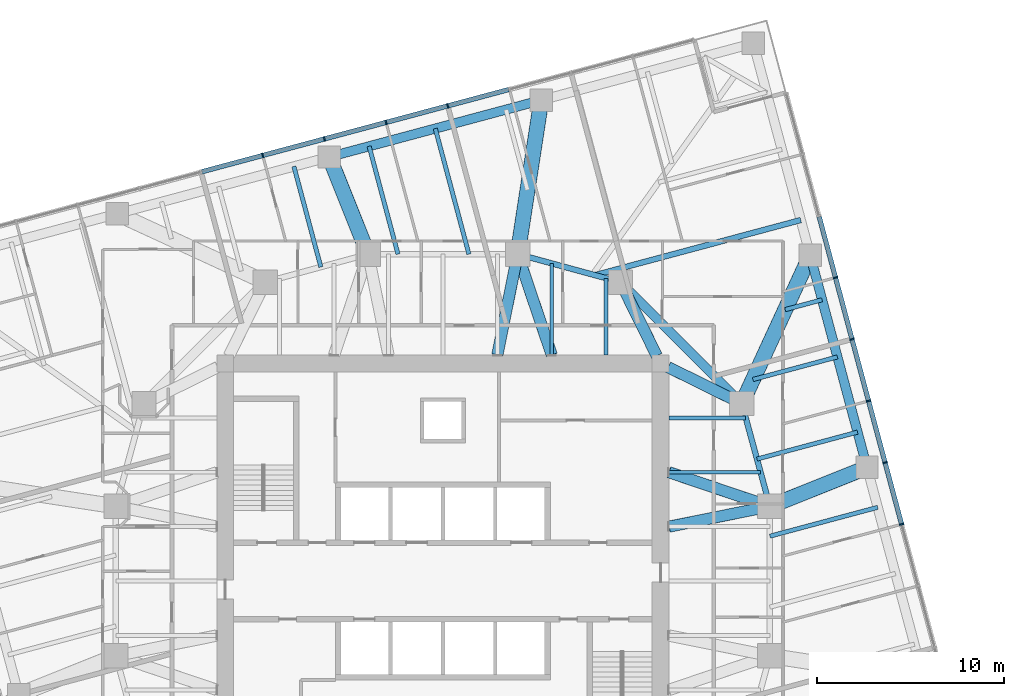
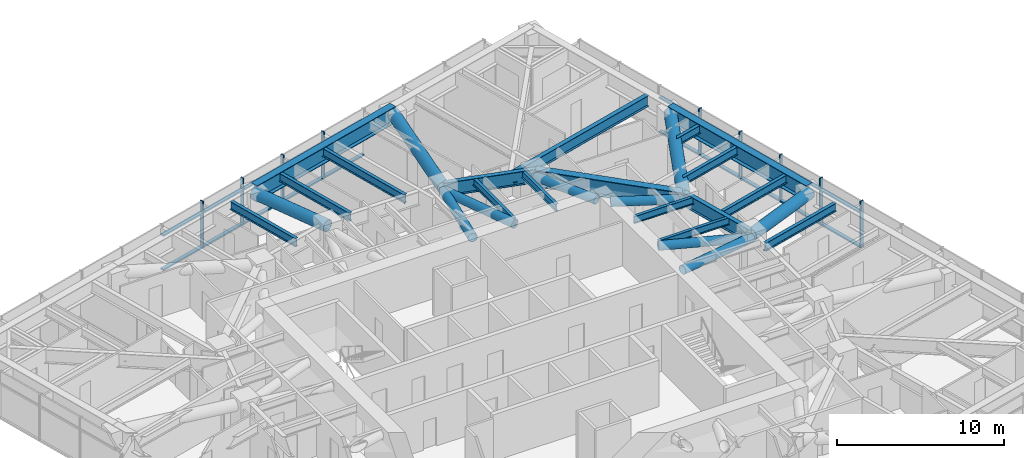
# One storey, part 7 of 18: 39 members, 17 beams, 2 elements without a shape of their own.
"""IFC4 building model written with IfcOpenShell, lengths in metres."""

from ifc_helpers import new_model, si_unit, direction, frame, origin, origin_2d, place, context, subcontext, project, spatial, rectangle, hollow_circle, i_section, extrude, material, material_profile, profile_set, type_object, element, aggregate, save


model = new_model("IFC4")

# Units and contexts
model_context = context("Model", 3, precision=1e-05, world=origin(), true_north=direction((0.0, 1.0)))
body_context = subcontext(model_context, "Body", "Model", "MODEL_VIEW")
ifc_project = project(units=[si_unit("LENGTHUNIT", "METRE"), si_unit("AREAUNIT", "SQUARE_METRE"), si_unit("VOLUMEUNIT", "CUBIC_METRE"), si_unit("PLANEANGLEUNIT", "RADIAN"), si_unit("MASSUNIT", "GRAM", prefix="KILO")], contexts=[model_context])

# Site, building, storey
site_placement = place(None, origin())
site = spatial("IfcSite", under=ifc_project, at=site_placement, CompositionType="ELEMENT")
building_placement = place(site_placement, origin())
building = spatial("IfcBuilding", under=site, at=building_placement, Name="Torsade Residences", CompositionType="ELEMENT")
storey_placement = place(building_placement, frame((0.0, 0.0, 135.39990234375)))
storey = spatial("IfcBuildingStorey", under=building, at=storey_placement, Name="L37", CompositionType="ELEMENT", Elevation=135.39990234375)

# Beams
ifc_material_1 = material(Name="Steel grade 300", Category="steel")
ifc_material_profile_1 = material_profile(ifc_material_1, i_section(OverallWidth=0.208984375, OverallDepth=0.528076171875, WebThickness=0.009521484375, FlangeThickness=0.01318359375, FilletRadius=0.013916015625, at=origin_2d()), Name="530UB82.0")
ifc_profile_set_1 = profile_set([ifc_material_profile_1], Name="Steel grade 300")
beam_type_1 = type_object("IfcBeamType", Name="INNER FLOOR BEAM 530UB82.0", PredefinedType="JOIST", material=ifc_profile_set_1)
beam_1_placement = place(storey_placement, frame((45.824951171875, 42.10009765625, 2.93603515625), z_axis=(0.0, 1.0, 0.0), x_axis=(-1.0, 0.0, 0.0)))
element("IfcBeam", 1, at=beam_1_placement, inside=storey, type_object=beam_type_1, Name="Inner floor beam IN06 L38", PredefinedType="JOIST", context=body_context, shape_type="SweptSolid", body=[
    extrude(i_section(OverallWidth=0.208984375, OverallDepth=0.528076171875, WebThickness=0.009521484375, FlangeThickness=0.01318359375, FilletRadius=0.013916015625, at=origin_2d()), origin(), (0.0, 0.0, 1.0), 4.902099609375),
])
beam_2_placement = place(storey_placement, frame((48.737548828125, 42.10009765625, 2.93603515625), z_axis=(0.0, 1.0, 0.0), x_axis=(-1.0, 0.0, 0.0)))
element("IfcBeam", 2, at=beam_2_placement, inside=storey, type_object=beam_type_1, Name="Inner floor beam IN07 L38", PredefinedType="JOIST", context=body_context, shape_type="SweptSolid", body=[
    extrude(i_section(OverallWidth=0.208984375, OverallDepth=0.528076171875, WebThickness=0.009521484375, FlangeThickness=0.01318359375, FilletRadius=0.013916015625, at=origin_2d()), origin(), (0.0, 0.0, 1.0), 4.10791015625),
])
beam_3_placement = place(storey_placement, frame((52.10009765625, 35.824951171875, 2.93603515625), z_axis=(1.0, 0.0, 0.0), x_axis=(0.0, 1.0, 0.0)))
element("IfcBeam", 3, at=beam_3_placement, inside=storey, type_object=beam_type_1, Name="Inner floor beam IE06 L38", PredefinedType="JOIST", context=body_context, shape_type="SweptSolid", body=[
    extrude(i_section(OverallWidth=0.208984375, OverallDepth=0.528076171875, WebThickness=0.009521484375, FlangeThickness=0.01318359375, FilletRadius=0.013916015625, at=origin_2d()), origin(), (0.0, 0.0, 1.0), 4.902099609375),
])
beam_4_placement = place(storey_placement, frame((52.10009765625, 38.737548828125, 2.93603515625), z_axis=(1.0, 0.0, 0.0), x_axis=(0.0, 1.0, 0.0)))
element("IfcBeam", 4, at=beam_4_placement, inside=storey, type_object=beam_type_1, Name="Inner floor beam IE07 L38", PredefinedType="JOIST", context=body_context, shape_type="SweptSolid", body=[
    extrude(i_section(OverallWidth=0.208984375, OverallDepth=0.528076171875, WebThickness=0.009521484375, FlangeThickness=0.01318359375, FilletRadius=0.013916015625, at=origin_2d()), origin(), (0.0, 0.0, 1.0), 4.10791015625),
])

# Curtain wall, members
ifc_material_2 = material(Name="Aluminium and glass", Category="aluminium")
curtain_wall_type = type_object("IfcCurtainWallType", Name="FRITTED GLASS CURTAIN WALL MID ZONE", PredefinedType="NOTDEFINED", material=ifc_material_2)
curtain_wall_1_placement = place(storey_placement, origin())
curtain_wall_1 = element("IfcCurtainWall", 5, at=curtain_wall_1_placement, inside=storey, type_object=curtain_wall_type, Name="Curtain wall L37 face 4", PredefinedType="NOTDEFINED")
ifc_material_3 = material(Name="Aluminium mullion", Category="aluminium")
ifc_material_profile_2 = material_profile(ifc_material_3, rectangle(XDim=0.25, YDim=0.080078125, at=origin_2d()), Name="MID ZONE CURTAIN WALL MULLION 250x80")
ifc_profile_set_2 = profile_set([ifc_material_profile_2], Name="Aluminium mullion")
member_type_1 = type_object("IfcMemberType", Name="MID ZONE CURTAIN WALL MULLION 250x80", PredefinedType="MULLION", material=ifc_profile_set_2)
member_1_placement = place(storey_placement, frame((64.549560546875, 33.040771484375, 0.0), z_axis=(0.0, 0.0, 1.0), x_axis=(-0.965925825571, -0.258819047783, 0.0)))
member_1 = element("IfcMember", 6, at=member_1_placement, type_object=member_type_1, Name="Mullion 6", PredefinedType="MULLION", context=body_context, shape_type="SweptSolid", body=[
    extrude(rectangle(XDim=0.25, YDim=0.080078125, at=origin_2d()), origin(), (0.0, 0.0, 1.0), 3.400146484375),
])
member_2_placement = place(storey_placement, frame((63.665283203125, 36.341064453125, 0.0), z_axis=(0.0, 0.0, 1.0), x_axis=(-0.965925825571, -0.258819047783, 0.0)))
member_2 = element("IfcMember", 7, at=member_2_placement, type_object=member_type_1, Name="Mullion 7", PredefinedType="MULLION", context=body_context, shape_type="SweptSolid", body=[
    extrude(rectangle(XDim=0.25, YDim=0.080078125, at=origin_2d()), origin(), (0.0, 0.0, 1.0), 3.400146484375),
])
member_3_placement = place(storey_placement, frame((62.781005859375, 39.641357421875, 0.0), z_axis=(0.0, 0.0, 1.0), x_axis=(-0.965925825571, -0.258819047783, 0.0)))
member_3 = element("IfcMember", 8, at=member_3_placement, type_object=member_type_1, Name="Mullion 8", PredefinedType="MULLION", context=body_context, shape_type="SweptSolid", body=[
    extrude(rectangle(XDim=0.25, YDim=0.080078125, at=origin_2d()), origin(), (0.0, 0.0, 1.0), 3.400146484375),
])
member_4_placement = place(storey_placement, frame((61.896484375, 42.941650390625, 0.0), z_axis=(0.0, 0.0, 1.0), x_axis=(-0.965925825571, -0.258819047783, 0.0)))
member_4 = element("IfcMember", 9, at=member_4_placement, type_object=member_type_1, Name="Mullion 9", PredefinedType="MULLION", context=body_context, shape_type="SweptSolid", body=[
    extrude(rectangle(XDim=0.25, YDim=0.080078125, at=origin_2d()), origin(), (0.0, 0.0, 1.0), 3.400146484375),
])
member_5_placement = place(storey_placement, frame((61.01220703125, 46.24169921875, 0.0), z_axis=(0.0, 0.0, 1.0), x_axis=(-0.965925825571, -0.258819047783, 0.0)))
member_5 = element("IfcMember", 10, at=member_5_placement, type_object=member_type_1, Name="Mullion 10", PredefinedType="MULLION", context=body_context, shape_type="SweptSolid", body=[
    extrude(rectangle(XDim=0.25, YDim=0.080078125, at=origin_2d()), origin(), (0.0, 0.0, 1.0), 3.400146484375),
])

curtain_wall_2_placement = place(storey_placement, origin())
curtain_wall_2 = element("IfcCurtainWall", 11, at=curtain_wall_2_placement, inside=storey, type_object=curtain_wall_type, Name="Curtain wall L37 face 7", PredefinedType="NOTDEFINED")
member_6_placement = place(storey_placement, frame((40.259521484375, 55.433837890625, 0.0), z_axis=(0.0, 0.0, 1.0), x_axis=(0.258819047783, -0.965925825571, 0.0)))
member_6 = element("IfcMember", 12, at=member_6_placement, type_object=member_type_1, Name="Mullion 5", PredefinedType="MULLION", context=body_context, shape_type="SweptSolid", body=[
    extrude(rectangle(XDim=0.25, YDim=0.080078125, at=origin_2d()), origin(), (0.0, 0.0, 1.0), 3.400146484375),
])
member_7_placement = place(storey_placement, frame((36.959228515625, 54.549560546875, 0.0), z_axis=(0.0, 0.0, 1.0), x_axis=(0.258819047783, -0.965925825571, 0.0)))
member_7 = element("IfcMember", 13, at=member_7_placement, type_object=member_type_1, Name="Mullion 6", PredefinedType="MULLION", context=body_context, shape_type="SweptSolid", body=[
    extrude(rectangle(XDim=0.25, YDim=0.080078125, at=origin_2d()), origin(), (0.0, 0.0, 1.0), 3.400146484375),
])
member_8_placement = place(storey_placement, frame((33.658935546875, 53.665283203125, 0.0), z_axis=(0.0, 0.0, 1.0), x_axis=(0.258819047783, -0.965925825571, 0.0)))
member_8 = element("IfcMember", 14, at=member_8_placement, type_object=member_type_1, Name="Mullion 7", PredefinedType="MULLION", context=body_context, shape_type="SweptSolid", body=[
    extrude(rectangle(XDim=0.25, YDim=0.080078125, at=origin_2d()), origin(), (0.0, 0.0, 1.0), 3.400146484375),
])
member_9_placement = place(storey_placement, frame((30.358642578125, 52.781005859375, 0.0), z_axis=(0.0, 0.0, 1.0), x_axis=(0.258819047783, -0.965925825571, 0.0)))
member_9 = element("IfcMember", 15, at=member_9_placement, type_object=member_type_1, Name="Mullion 8", PredefinedType="MULLION", context=body_context, shape_type="SweptSolid", body=[
    extrude(rectangle(XDim=0.25, YDim=0.080078125, at=origin_2d()), origin(), (0.0, 0.0, 1.0), 3.400146484375),
])

# Member
ifc_material_4 = material(Name="Aluminium transom", Category="aluminium")
ifc_material_profile_3 = material_profile(ifc_material_4, rectangle(XDim=0.25, YDim=0.110107421875, at=origin_2d()), Name="MID ZONE CURTAIN WALL TRANSOM 250x110")
ifc_profile_set_3 = profile_set([ifc_material_profile_3], Name="Aluminium transom")
member_type_2 = type_object("IfcMemberType", Name="MID ZONE CURTAIN WALL TRANSOM 250x110", PredefinedType="USERDEFINED", material=ifc_profile_set_3)
member_10_placement = place(storey_placement, frame((64.5390625, 33.079345703125, 0.05517578125), z_axis=(-0.258787285653, 0.965934335648, 0.0), x_axis=(-0.965934335648, -0.258787285653, 0.0)))
member_10 = element("IfcMember", 16, at=member_10_placement, type_object=member_type_2, Name="Transom 6.1", ObjectType="TRANSOM", PredefinedType="USERDEFINED", context=body_context, shape_type="SweptSolid", body=[
    extrude(rectangle(XDim=0.25, YDim=0.110107421875, at=origin_2d()), origin(), (0.0, 0.0, 1.0), 3.3369140625),
])

member_11_placement = place(storey_placement, frame((64.5390625, 33.079345703125, 2.55517578125), z_axis=(-0.258787285653, 0.965934335648, 0.0), x_axis=(-0.965934335648, -0.258787285653, 0.0)))
member_11 = element("IfcMember", 17, at=member_11_placement, type_object=member_type_2, Name="Transom 6.2", ObjectType="TRANSOM", PredefinedType="USERDEFINED", context=body_context, shape_type="SweptSolid", body=[
    extrude(rectangle(XDim=0.25, YDim=0.110107421875, at=origin_2d()), origin(), (0.0, 0.0, 1.0), 3.3369140625),
])

member_12_placement = place(storey_placement, frame((63.65478515625, 36.379638671875, 0.05517578125), z_axis=(-0.258787285653, 0.965934335648, 0.0), x_axis=(-0.965934335648, -0.258787285653, 0.0)))
member_12 = element("IfcMember", 18, at=member_12_placement, type_object=member_type_2, Name="Transom 7.1", ObjectType="TRANSOM", PredefinedType="USERDEFINED", context=body_context, shape_type="SweptSolid", body=[
    extrude(rectangle(XDim=0.25, YDim=0.110107421875, at=origin_2d()), origin(), (0.0, 0.0, 1.0), 3.3369140625),
])

member_13_placement = place(storey_placement, frame((63.65478515625, 36.379638671875, 2.55517578125), z_axis=(-0.258787285653, 0.965934335648, 0.0), x_axis=(-0.965934335648, -0.258787285653, 0.0)))
member_13 = element("IfcMember", 19, at=member_13_placement, type_object=member_type_2, Name="Transom 7.2", ObjectType="TRANSOM", PredefinedType="USERDEFINED", context=body_context, shape_type="SweptSolid", body=[
    extrude(rectangle(XDim=0.25, YDim=0.110107421875, at=origin_2d()), origin(), (0.0, 0.0, 1.0), 3.3369140625),
])

member_14_placement = place(storey_placement, frame((62.7705078125, 39.679931640625, 0.05517578125), z_axis=(-0.258805576255, 0.965929435155, 0.0), x_axis=(-0.965929435155, -0.258805576255, 0.0)))
member_14 = element("IfcMember", 20, at=member_14_placement, type_object=member_type_2, Name="Transom 8.1", ObjectType="TRANSOM", PredefinedType="USERDEFINED", context=body_context, shape_type="SweptSolid", body=[
    extrude(rectangle(XDim=0.25, YDim=0.110107421875, at=origin_2d()), origin(), (0.0, 0.0, 1.0), 3.336669921875),
])

member_15_placement = place(storey_placement, frame((62.7705078125, 39.679931640625, 2.55517578125), z_axis=(-0.258805576255, 0.965929435155, 0.0), x_axis=(-0.965929435155, -0.258805576255, 0.0)))
member_15 = element("IfcMember", 21, at=member_15_placement, type_object=member_type_2, Name="Transom 8.2", ObjectType="TRANSOM", PredefinedType="USERDEFINED", context=body_context, shape_type="SweptSolid", body=[
    extrude(rectangle(XDim=0.25, YDim=0.110107421875, at=origin_2d()), origin(), (0.0, 0.0, 1.0), 3.336669921875),
])

member_16_placement = place(storey_placement, frame((61.88623046875, 42.980224609375, 0.05517578125), z_axis=(-0.258805576255, 0.965929435155, 0.0), x_axis=(-0.965929435155, -0.258805576255, 0.0)))
member_16 = element("IfcMember", 22, at=member_16_placement, type_object=member_type_2, Name="Transom 9.1", ObjectType="TRANSOM", PredefinedType="USERDEFINED", context=body_context, shape_type="SweptSolid", body=[
    extrude(rectangle(XDim=0.25, YDim=0.110107421875, at=origin_2d()), origin(), (0.0, 0.0, 1.0), 3.336669921875),
])

member_17_placement = place(storey_placement, frame((61.88623046875, 42.980224609375, 2.55517578125), z_axis=(-0.258805576255, 0.965929435155, 0.0), x_axis=(-0.965929435155, -0.258805576255, 0.0)))
member_17 = element("IfcMember", 23, at=member_17_placement, type_object=member_type_2, Name="Transom 9.2", ObjectType="TRANSOM", PredefinedType="USERDEFINED", context=body_context, shape_type="SweptSolid", body=[
    extrude(rectangle(XDim=0.25, YDim=0.110107421875, at=origin_2d()), origin(), (0.0, 0.0, 1.0), 3.336669921875),
])

member_18_placement = place(storey_placement, frame((61.001953125, 46.280517578125, 0.05517578125), z_axis=(-0.258805576255, 0.965929435155, 0.0), x_axis=(-0.965929435155, -0.258805576255, 0.0)))
member_18 = element("IfcMember", 24, at=member_18_placement, type_object=member_type_2, Name="Transom 10.1", ObjectType="TRANSOM", PredefinedType="USERDEFINED", context=body_context, shape_type="SweptSolid", body=[
    extrude(rectangle(XDim=0.25, YDim=0.110107421875, at=origin_2d()), origin(), (0.0, 0.0, 1.0), 3.336669921875),
])

member_19_placement = place(storey_placement, frame((61.001953125, 46.280517578125, 2.55517578125), z_axis=(-0.258805576255, 0.965929435155, 0.0), x_axis=(-0.965929435155, -0.258805576255, 0.0)))
member_19 = element("IfcMember", 25, at=member_19_placement, type_object=member_type_2, Name="Transom 10.2", ObjectType="TRANSOM", PredefinedType="USERDEFINED", context=body_context, shape_type="SweptSolid", body=[
    extrude(rectangle(XDim=0.25, YDim=0.110107421875, at=origin_2d()), origin(), (0.0, 0.0, 1.0), 3.336669921875),
])

aggregate(curtain_wall_1, [member_1, member_2, member_3, member_4, member_5, member_10, member_11, member_12, member_13, member_14, member_15, member_16, member_17, member_18, member_19])

member_20_placement = place(storey_placement, frame((43.52099609375, 56.3076171875, 0.05517578125), z_axis=(-0.965929435155, -0.258805576255, 0.0), x_axis=(0.258805576255, -0.965929435155, 0.0)))
member_20 = element("IfcMember", 26, at=member_20_placement, type_object=member_type_2, Name="Transom 4.1", ObjectType="TRANSOM", PredefinedType="USERDEFINED", context=body_context, shape_type="SweptSolid", body=[
    extrude(rectangle(XDim=0.25, YDim=0.110107421875, at=origin_2d()), origin(), (0.0, 0.0, 1.0), 3.336669921875),
])

member_21_placement = place(storey_placement, frame((43.52099609375, 56.3076171875, 2.55517578125), z_axis=(-0.965929435155, -0.258805576255, 0.0), x_axis=(0.258805576255, -0.965929435155, 0.0)))
member_21 = element("IfcMember", 27, at=member_21_placement, type_object=member_type_2, Name="Transom 4.2", ObjectType="TRANSOM", PredefinedType="USERDEFINED", context=body_context, shape_type="SweptSolid", body=[
    extrude(rectangle(XDim=0.25, YDim=0.110107421875, at=origin_2d()), origin(), (0.0, 0.0, 1.0), 3.336669921875),
])

member_22_placement = place(storey_placement, frame((40.220703125, 55.42333984375, 0.05517578125), z_axis=(-0.965929435155, -0.258805576255, 0.0), x_axis=(0.258805576255, -0.965929435155, 0.0)))
member_22 = element("IfcMember", 28, at=member_22_placement, type_object=member_type_2, Name="Transom 5.1", ObjectType="TRANSOM", PredefinedType="USERDEFINED", context=body_context, shape_type="SweptSolid", body=[
    extrude(rectangle(XDim=0.25, YDim=0.110107421875, at=origin_2d()), origin(), (0.0, 0.0, 1.0), 3.336669921875),
])

member_23_placement = place(storey_placement, frame((40.220703125, 55.42333984375, 2.55517578125), z_axis=(-0.965929435155, -0.258805576255, 0.0), x_axis=(0.258805576255, -0.965929435155, 0.0)))
member_23 = element("IfcMember", 29, at=member_23_placement, type_object=member_type_2, Name="Transom 5.2", ObjectType="TRANSOM", PredefinedType="USERDEFINED", context=body_context, shape_type="SweptSolid", body=[
    extrude(rectangle(XDim=0.25, YDim=0.110107421875, at=origin_2d()), origin(), (0.0, 0.0, 1.0), 3.336669921875),
])

member_24_placement = place(storey_placement, frame((36.920654296875, 54.5390625, 0.05517578125), z_axis=(-0.965934335648, -0.258787285653, 0.0), x_axis=(0.258787285653, -0.965934335648, 0.0)))
member_24 = element("IfcMember", 30, at=member_24_placement, type_object=member_type_2, Name="Transom 6.1", ObjectType="TRANSOM", PredefinedType="USERDEFINED", context=body_context, shape_type="SweptSolid", body=[
    extrude(rectangle(XDim=0.25, YDim=0.110107421875, at=origin_2d()), origin(), (0.0, 0.0, 1.0), 3.3369140625),
])

member_25_placement = place(storey_placement, frame((36.920654296875, 54.5390625, 2.55517578125), z_axis=(-0.965934335648, -0.258787285653, 0.0), x_axis=(0.258787285653, -0.965934335648, 0.0)))
member_25 = element("IfcMember", 31, at=member_25_placement, type_object=member_type_2, Name="Transom 6.2", ObjectType="TRANSOM", PredefinedType="USERDEFINED", context=body_context, shape_type="SweptSolid", body=[
    extrude(rectangle(XDim=0.25, YDim=0.110107421875, at=origin_2d()), origin(), (0.0, 0.0, 1.0), 3.3369140625),
])

member_26_placement = place(storey_placement, frame((33.620361328125, 53.65478515625, 0.05517578125), z_axis=(-0.965934335648, -0.258787285653, 0.0), x_axis=(0.258787285653, -0.965934335648, 0.0)))
member_26 = element("IfcMember", 32, at=member_26_placement, type_object=member_type_2, Name="Transom 7.1", ObjectType="TRANSOM", PredefinedType="USERDEFINED", context=body_context, shape_type="SweptSolid", body=[
    extrude(rectangle(XDim=0.25, YDim=0.110107421875, at=origin_2d()), origin(), (0.0, 0.0, 1.0), 3.3369140625),
])

member_27_placement = place(storey_placement, frame((33.620361328125, 53.65478515625, 2.55517578125), z_axis=(-0.965934335648, -0.258787285653, 0.0), x_axis=(0.258787285653, -0.965934335648, 0.0)))
member_27 = element("IfcMember", 33, at=member_27_placement, type_object=member_type_2, Name="Transom 7.2", ObjectType="TRANSOM", PredefinedType="USERDEFINED", context=body_context, shape_type="SweptSolid", body=[
    extrude(rectangle(XDim=0.25, YDim=0.110107421875, at=origin_2d()), origin(), (0.0, 0.0, 1.0), 3.3369140625),
])

member_28_placement = place(storey_placement, frame((30.320068359375, 52.7705078125, 0.05517578125), z_axis=(-0.965929435155, -0.258805576255, 0.0), x_axis=(0.258805576255, -0.965929435155, 0.0)))
member_28 = element("IfcMember", 34, at=member_28_placement, type_object=member_type_2, Name="Transom 8.1", ObjectType="TRANSOM", PredefinedType="USERDEFINED", context=body_context, shape_type="SweptSolid", body=[
    extrude(rectangle(XDim=0.25, YDim=0.110107421875, at=origin_2d()), origin(), (0.0, 0.0, 1.0), 3.336669921875),
])

member_29_placement = place(storey_placement, frame((30.320068359375, 52.7705078125, 2.55517578125), z_axis=(-0.965929435155, -0.258805576255, 0.0), x_axis=(0.258805576255, -0.965929435155, 0.0)))
member_29 = element("IfcMember", 35, at=member_29_placement, type_object=member_type_2, Name="Transom 8.2", ObjectType="TRANSOM", PredefinedType="USERDEFINED", context=body_context, shape_type="SweptSolid", body=[
    extrude(rectangle(XDim=0.25, YDim=0.110107421875, at=origin_2d()), origin(), (0.0, 0.0, 1.0), 3.336669921875),
])

aggregate(curtain_wall_2, [member_6, member_7, member_8, member_9, member_20, member_21, member_22, member_23, member_24, member_25, member_26, member_27, member_28, member_29])

# Beams
ifc_material_5 = material(Name="Steel grade 300", Category="steel")
ifc_material_profile_4 = material_profile(ifc_material_5, i_section(OverallWidth=0.5, OverallDepth=1.199951171875, WebThickness=0.01611328125, FlangeThickness=0.0400390625, at=origin_2d()), Name="1200WB455")
ifc_profile_set_4 = profile_set([ifc_material_profile_4], Name="Steel grade 300")
beam_type_2 = type_object("IfcBeamType", Name="RING CORNER GIRDER 1200WB455", PredefinedType="BEAM", material=ifc_profile_set_4)
beam_5_placement = place(storey_placement, frame((56.0, 39.5, 2.60009765625), z_axis=(-0.707106781187, 0.707106781187, 0.0), x_axis=(-0.707106781187, -0.707106781187, 0.0)))
element("IfcBeam", 36, at=beam_5_placement, inside=storey, type_object=beam_type_2, Name="Ring girder IR03 L38", PredefinedType="BEAM", context=body_context, shape_type="SweptSolid", body=[
    extrude(i_section(OverallWidth=0.5, OverallDepth=1.199951171875, WebThickness=0.01611328125, FlangeThickness=0.0400390625, at=origin_2d()), origin(), (0.0, 0.0, 1.0), 9.1923828125),
])
ifc_material_6 = material(Name="Steel grade 300", Category="steel")
ifc_material_profile_5 = material_profile(ifc_material_6, i_section(OverallWidth=0.300048828125, OverallDepth=1.0, WebThickness=0.01611328125, FlangeThickness=0.028076171875, at=origin_2d()), Name="1000WB215")
ifc_profile_set_5 = profile_set([ifc_material_profile_5], Name="Steel grade 300")
beam_type_3 = type_object("IfcBeamType", Name="RING GIRDER 1000WB215", PredefinedType="BEAM", material=ifc_profile_set_5)
for number, where, z_axis, x_axis, name in (
    (37, (57.5, 34.0, 2.7001953125), (-0.263117405792, 0.964763821238, 0.0), (-0.964763821238, -0.263117405792, 0.0), "Ring girder IR02 L38"),
    (38, (49.5, 46.0, 2.7001953125), (-0.964763821238, 0.263117405792, 0.0), (-0.263117405792, -0.964763821238, 0.0), "Ring girder IR04 L38"),
):
    element("IfcBeam", number, at=place(storey_placement, frame(where, z_axis=z_axis, x_axis=x_axis)), inside=storey, type_object=beam_type_3, Name=name, PredefinedType="BEAM", context=body_context, shape_type="SweptSolid", body=[
        extrude(i_section(OverallWidth=0.300048828125, OverallDepth=1.0, WebThickness=0.01611328125, FlangeThickness=0.028076171875, at=origin_2d()), origin(), (0.0, 0.0, 1.0), 5.700927734375),
    ])
ifc_material_7 = material(Name="Steel grade 300", Category="steel")
ifc_material_profile_6 = material_profile(ifc_material_7, i_section(OverallWidth=0.22900390625, OverallDepth=0.612060546875, WebThickness=0.011962890625, FlangeThickness=0.01953125, FilletRadius=0.013916015625, at=origin_2d()), Name="610UB125")
ifc_profile_set_6 = profile_set([ifc_material_profile_6], Name="Steel grade 300")
beam_type_4 = type_object("IfcBeamType", Name="SECONDARY BEAM 610UB125", PredefinedType="JOIST", material=ifc_profile_set_6)
beam_6_placement = place(storey_placement, frame((63.270751953125, 33.94921875, 2.89404296875), z_axis=(-0.965920871885, -0.258837534481, 0.0), x_axis=(0.258837534481, -0.965920871885, 0.0)))
element("IfcBeam", 39, at=beam_6_placement, inside=storey, type_object=beam_type_4, Name="Floor beam FE06 L38", PredefinedType="JOIST", context=body_context, shape_type="SweptSolid", body=[
    extrude(i_section(OverallWidth=0.22900390625, OverallDepth=0.612060546875, WebThickness=0.011962890625, FlangeThickness=0.01953125, FilletRadius=0.013916015625, at=origin_2d()), origin(), (0.0, 0.0, 1.0), 5.974365234375),
])
beam_7_placement = place(storey_placement, frame((62.1923828125, 37.973876953125, 2.89404296875), z_axis=(-0.965923020144, -0.258829517553, 0.0), x_axis=(0.258829517553, -0.965923020144, 0.0)))
element("IfcBeam", 40, at=beam_7_placement, inside=storey, type_object=beam_type_4, Name="Floor beam FE07 L38", PredefinedType="JOIST", context=body_context, shape_type="SweptSolid", body=[
    extrude(i_section(OverallWidth=0.22900390625, OverallDepth=0.612060546875, WebThickness=0.011962890625, FlangeThickness=0.01953125, FilletRadius=0.013916015625, at=origin_2d()), origin(), (0.0, 0.0, 1.0), 5.57275390625),
])
beam_8_placement = place(storey_placement, frame((61.114013671875, 41.99853515625, 2.89404296875), z_axis=(-0.965926860523, -0.258815185258, 0.0), x_axis=(0.258815185258, -0.965926860523, 0.0)))
element("IfcBeam", 41, at=beam_8_placement, inside=storey, type_object=beam_type_4, Name="Floor beam FE08 L38", PredefinedType="JOIST", context=body_context, shape_type="SweptSolid", body=[
    extrude(i_section(OverallWidth=0.22900390625, OverallDepth=0.612060546875, WebThickness=0.011962890625, FlangeThickness=0.01953125, FilletRadius=0.013916015625, at=origin_2d()), origin(), (0.0, 0.0, 1.0), 4.6796875),
])
beam_9_placement = place(storey_placement, frame((60.29443359375, 45.057373046875, 2.89404296875), z_axis=(-0.965933133225, -0.258791773706, 0.0), x_axis=(0.258791773706, -0.965933133225, 0.0)))
element("IfcBeam", 42, at=beam_9_placement, inside=storey, type_object=beam_type_4, Name="Floor beam FE09 L38", PredefinedType="JOIST", context=body_context, shape_type="SweptSolid", body=[
    extrude(i_section(OverallWidth=0.22900390625, OverallDepth=0.612060546875, WebThickness=0.011962890625, FlangeThickness=0.01953125, FilletRadius=0.013916015625, at=origin_2d()), origin(), (0.0, 0.0, 1.0), 2.045166015625),
])
beam_10_placement = place(storey_placement, frame((39.592529296875, 54.2197265625, 2.89404296875), z_axis=(0.258817945835, -0.965926120836, 0.0), x_axis=(0.965926120836, 0.258817945835, 0.0)))
element("IfcBeam", 43, at=beam_10_placement, inside=storey, type_object=beam_type_4, Name="Floor beam FN05 L38", PredefinedType="JOIST", context=body_context, shape_type="SweptSolid", body=[
    extrude(i_section(OverallWidth=0.22900390625, OverallDepth=0.612060546875, WebThickness=0.011962890625, FlangeThickness=0.01953125, FilletRadius=0.013916015625, at=origin_2d()), origin(), (0.0, 0.0, 1.0), 6.956787109375),
])
beam_11_placement = place(storey_placement, frame((36.05078125, 53.270751953125, 2.89404296875), z_axis=(0.258837534481, -0.965920871885, 0.0), x_axis=(0.965920871885, 0.258837534481, 0.0)))
element("IfcBeam", 44, at=beam_11_placement, inside=storey, type_object=beam_type_4, Name="Floor beam FN06 L38", PredefinedType="JOIST", context=body_context, shape_type="SweptSolid", body=[
    extrude(i_section(OverallWidth=0.22900390625, OverallDepth=0.612060546875, WebThickness=0.011962890625, FlangeThickness=0.01953125, FilletRadius=0.013916015625, at=origin_2d()), origin(), (0.0, 0.0, 1.0), 5.974365234375),
])
beam_12_placement = place(storey_placement, frame((32.026123046875, 52.1923828125, 2.89404296875), z_axis=(0.258829517553, -0.965923020144, 0.0), x_axis=(0.965923020144, 0.258829517553, 0.0)))
element("IfcBeam", 45, at=beam_12_placement, inside=storey, type_object=beam_type_4, Name="Floor beam FN07 L38", PredefinedType="JOIST", context=body_context, shape_type="SweptSolid", body=[
    extrude(i_section(OverallWidth=0.22900390625, OverallDepth=0.612060546875, WebThickness=0.011962890625, FlangeThickness=0.01953125, FilletRadius=0.013916015625, at=origin_2d()), origin(), (0.0, 0.0, 1.0), 5.57275390625),
])
ifc_material_8 = material(Name="Steel grade 300", Category="steel")
ifc_material_profile_7 = material_profile(ifc_material_8, i_section(OverallWidth=0.300048828125, OverallDepth=0.800048828125, WebThickness=0.010009765625, FlangeThickness=0.02001953125, at=origin_2d()), Name="800WB146")
ifc_profile_set_7 = profile_set([ifc_material_profile_7], Name="Steel grade 300")
beam_type_5 = type_object("IfcBeamType", Name="SECONDARY BEAM 800WB146", PredefinedType="JOIST", material=ifc_profile_set_7)
beam_13_placement = place(storey_placement, frame((59.1513671875, 49.323486328125, 2.800048828125), z_axis=(-0.965929035417, -0.258807068179, 0.0), x_axis=(0.258807068179, -0.965929035417, 0.0)))
element("IfcBeam", 46, at=beam_13_placement, inside=storey, type_object=beam_type_5, Name="Floor beam FE10 L38", PredefinedType="JOIST", context=body_context, shape_type="SweptSolid", body=[
    extrude(i_section(OverallWidth=0.300048828125, OverallDepth=0.800048828125, WebThickness=0.010009765625, FlangeThickness=0.02001953125, at=origin_2d()), origin(), (0.0, 0.0, 1.0), 11.40380859375),
])

# Members
ifc_material_9 = material(Name="Steel grade 450", Category="steel")
ifc_material_profile_8 = material_profile(ifc_material_9, hollow_circle(Radius=0.304931640625, WallThickness=0.01611328125, at=origin_2d()), Name="610.0x16.0CHS")
ifc_profile_set_8 = profile_set([ifc_material_profile_8], Name="Steel grade 450")
member_type_3 = type_object("IfcMemberType", Name="TRANSFER FLOOR BRACE 610.0x16.0CHS", PredefinedType="BRACE", material=ifc_profile_set_8)
member_30_placement = place(storey_placement, frame((57.5, 34.0, 2.60009765625), z_axis=(-0.97976207845, -0.197299045909, 0.03375434957), x_axis=(0.197411538983, -0.980320704809, 0.0)))
element("IfcMember", 47, at=member_30_placement, inside=storey, type_object=member_type_3, Name="Transfer floor brace TT4 bottom IR02IE05", PredefinedType="BRACE", context=body_context, shape_type="SweptSolid", body=[
    extrude(hollow_circle(Radius=0.304931640625, WallThickness=0.01611328125, at=origin_2d()), origin(), (0.0, 0.0, 1.0), 5.511474609375),
])
member_31_placement = place(storey_placement, frame((57.5, 34.0, 2.60009765625), z_axis=(-0.946855969774, 0.319999474368, 0.032620682203), x_axis=(-0.320169867513, -0.947360151124, 0.0)))
element("IfcMember", 48, at=member_31_placement, inside=storey, type_object=member_type_3, Name="Transfer floor brace TT4 bottom IR02IE06", PredefinedType="BRACE", context=body_context, shape_type="SweptSolid", body=[
    extrude(hollow_circle(Radius=0.304931640625, WallThickness=0.01611328125, at=origin_2d()), origin(), (0.0, 0.0, 1.0), 5.702880859375),
])
for number, where, z_axis, x_axis, name in (
    (49, (56.0, 39.5, 2.60009765625), (-0.896469701914, 0.443105036702, 0.0), (-0.443105036702, -0.896469701914, 0.0), "Transfer floor brace TT4 bottom IR03C"),
    (50, (49.5, 46.0, 2.60009765625), (0.443105036702, -0.896469701914, 0.0), (0.896469701914, 0.443105036702, 0.0), "Transfer floor brace TT4 bottom IR04C"),
):
    element("IfcMember", number, at=place(storey_placement, frame(where, z_axis=z_axis, x_axis=x_axis)), inside=storey, type_object=member_type_3, Name=name, PredefinedType="BRACE", context=body_context, shape_type="SweptSolid", body=[
        extrude(hollow_circle(Radius=0.304931640625, WallThickness=0.01611328125, at=origin_2d()), origin(), (0.0, 0.0, 1.0), 4.40234375),
    ])
member_32_placement = place(storey_placement, frame((44.0, 47.5, 2.60009765625), z_axis=(-0.197299045909, -0.97976207845, 0.03375434957), x_axis=(0.980320704809, -0.197411538983, 0.0)))
element("IfcMember", 51, at=member_32_placement, inside=storey, type_object=member_type_3, Name="Transfer floor brace TT4 bottom IR05IN05", PredefinedType="BRACE", context=body_context, shape_type="SweptSolid", body=[
    extrude(hollow_circle(Radius=0.304931640625, WallThickness=0.01611328125, at=origin_2d()), origin(), (0.0, 0.0, 1.0), 5.511474609375),
])
member_33_placement = place(storey_placement, frame((44.0, 47.5, 2.60009765625), z_axis=(0.319999474368, -0.946855969774, 0.032620682203), x_axis=(0.947360151124, 0.320169867513, 0.0)))
element("IfcMember", 52, at=member_33_placement, inside=storey, type_object=member_type_3, Name="Transfer floor brace TT4 bottom IR05IN06", PredefinedType="BRACE", context=body_context, shape_type="SweptSolid", body=[
    extrude(hollow_circle(Radius=0.304931640625, WallThickness=0.01611328125, at=origin_2d()), origin(), (0.0, 0.0, 1.0), 5.702880859375),
])
ifc_material_10 = material(Name="Steel grade 450", Category="steel")
ifc_material_profile_9 = material_profile(ifc_material_10, hollow_circle(Radius=0.406494140625, WallThickness=0.02490234375, at=origin_2d()), Name="813.0x25.0CHS")
ifc_profile_set_9 = profile_set([ifc_material_profile_9], Name="Steel grade 450")
member_type_4 = type_object("IfcMemberType", Name="TRANSFER FLOOR STRUT 813.0x25.0CHS", PredefinedType="STRUT", material=ifc_profile_set_9)
member_34_placement = place(storey_placement, frame((62.69921875, 36.082275390625, 2.800048828125), z_axis=(-0.928317272246, -0.371788975159, 0.0), x_axis=(0.371788975159, -0.928317272246, 0.0)))
element("IfcMember", 53, at=member_34_placement, inside=storey, type_object=member_type_4, Name="Transfer floor strut TT4 bottom 07IR02", PredefinedType="STRUT", context=body_context, shape_type="SweptSolid", body=[
    extrude(hollow_circle(Radius=0.406494140625, WallThickness=0.02490234375, at=origin_2d()), origin(), (0.0, 0.0, 1.0), 5.6005859375),
])
member_35_placement = place(storey_placement, frame((59.658203125, 47.431884765625, 2.800048828125), z_axis=(-0.418806472813, -0.908075513562, 0.0), x_axis=(0.908075513562, -0.418806472813, 0.0)))
element("IfcMember", 54, at=member_35_placement, inside=storey, type_object=member_type_4, Name="Transfer floor strut TT4 bottom 08IR03", PredefinedType="STRUT", context=body_context, shape_type="SweptSolid", body=[
    extrude(hollow_circle(Radius=0.406494140625, WallThickness=0.02490234375, at=origin_2d()), origin(), (0.0, 0.0, 1.0), 8.73486328125),
])
member_36_placement = place(storey_placement, frame((45.267333984375, 55.740478515625, 2.800048828125), z_axis=(-0.152006574044, -0.98837948251, 0.0), x_axis=(0.98837948251, -0.152006574044, 0.0)))
element("IfcMember", 55, at=member_36_placement, inside=storey, type_object=member_type_4, Name="Transfer floor strut TT4 bottom 10IR05", PredefinedType="STRUT", context=body_context, shape_type="SweptSolid", body=[
    extrude(hollow_circle(Radius=0.406494140625, WallThickness=0.02490234375, at=origin_2d()), origin(), (0.0, 0.0, 1.0), 8.33740234375),
])
member_37_placement = place(storey_placement, frame((33.917724609375, 52.69921875, 2.800048828125), z_axis=(0.371788975159, -0.928317272246, 0.0), x_axis=(0.928317272246, 0.371788975159, 0.0)))
element("IfcMember", 56, at=member_37_placement, inside=storey, type_object=member_type_4, Name="Transfer floor strut TT4 bottom 11IR06", PredefinedType="STRUT", context=body_context, shape_type="SweptSolid", body=[
    extrude(hollow_circle(Radius=0.406494140625, WallThickness=0.02490234375, at=origin_2d()), origin(), (0.0, 0.0, 1.0), 5.6005859375),
])

# Beams
ifc_material_11 = material(Name="Steel grade 300", Category="steel")
ifc_material_profile_10 = material_profile(ifc_material_11, i_section(OverallWidth=0.5, OverallDepth=1.199951171875, WebThickness=0.01611328125, FlangeThickness=0.0400390625, at=origin_2d()), Name="1200WB455")
ifc_profile_set_10 = profile_set([ifc_material_profile_10], Name="Steel grade 300")
beam_type_6 = type_object("IfcBeamType", Name="TRANSFER TRUSS CHORD 1200WB455", PredefinedType="USERDEFINED", material=ifc_profile_set_10)
for number, where, z_axis, x_axis, name in (
    (57, (62.69921875, 36.082275390625, 2.800048828125), (-0.258810863021, 0.965928018634, 0.0), (-0.965928018634, -0.258810863021, 0.0), "Transfer truss TT4 bottom chord 07"),
    (58, (45.267333984375, 55.740478515625, 2.800048828125), (-0.965922824118, -0.258830249097, 0.0), (0.258830249097, -0.965922824118, 0.0), "Transfer truss TT4 bottom chord 10"),
):
    element("IfcBeam", number, at=place(storey_placement, frame(where, z_axis=z_axis, x_axis=x_axis)), inside=storey, type_object=beam_type_6, Name=name, ObjectType="TRANSFER TRUSS CHORD", PredefinedType="USERDEFINED", context=body_context, shape_type="SweptSolid", body=[
        extrude(i_section(OverallWidth=0.5, OverallDepth=1.199951171875, WebThickness=0.01611328125, FlangeThickness=0.0400390625, at=origin_2d()), origin(), (0.0, 0.0, 1.0), 11.75),
    ])

save(model, "model.ifc")
